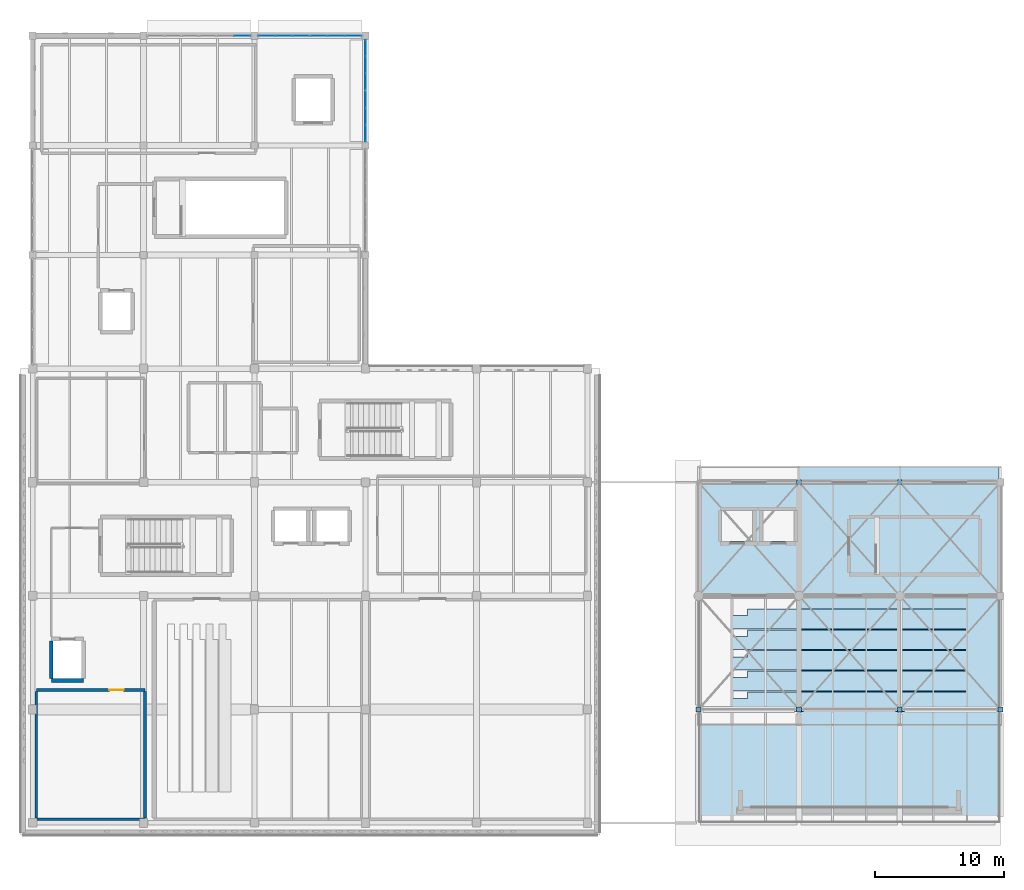
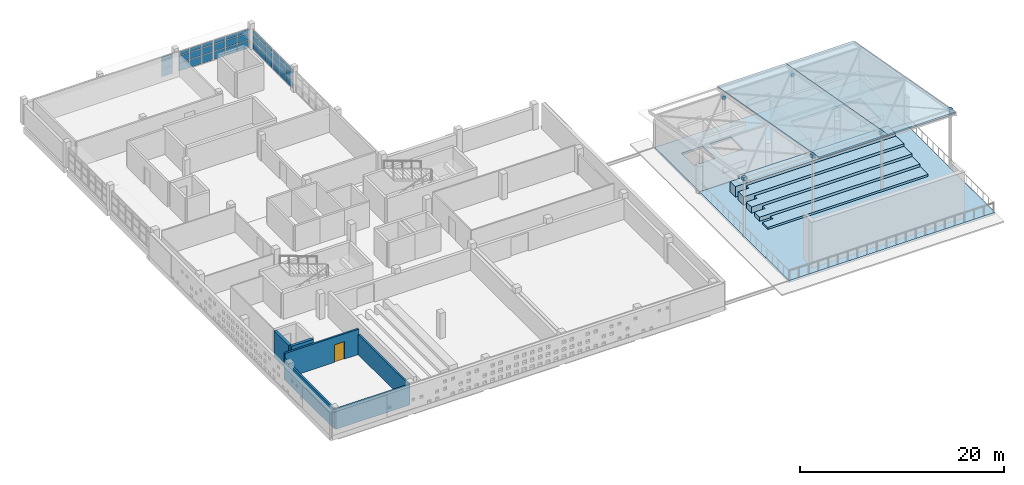
# One storey, part 20 of 34: 45 plates, 9 slabs, 6 walls, 1 door, 1 opening, 5 elements without a shape of their own.
"""IFC4 building model written with IfcOpenShell, lengths in metres."""

from ifc_helpers import new_model, si_unit, direction, frame, frame_2d, origin, origin_2d, place, context, subcontext, project, spatial, polyline, rectangle, outline, extrude, material, layer, layer_set, type_object, element, fill, aggregate, save


model = new_model("IFC4")

# Units and contexts
model_context = context("Model", 3, precision=1e-05, world=origin(), true_north=direction((0.0, 1.0)))
body_context = subcontext(model_context, "Body", "Model", "MODEL_VIEW")
ifc_project = project(units=[si_unit("LENGTHUNIT", "METRE"), si_unit("AREAUNIT", "SQUARE_METRE"), si_unit("VOLUMEUNIT", "CUBIC_METRE"), si_unit("PLANEANGLEUNIT", "RADIAN"), si_unit("MASSUNIT", "GRAM", prefix="KILO")], contexts=[model_context])

# Site, building, storey
site_placement = place(None, origin())
site = spatial("IfcSite", under=ifc_project, at=site_placement, CompositionType="ELEMENT")
building_placement = place(site_placement, origin())
building = spatial("IfcBuilding", under=site, at=building_placement, Name="Varnakota Cinema and Media Centre", CompositionType="ELEMENT")
storey_placement = place(building_placement, frame((0.0, 0.0, 19.050048828125)))
storey = spatial("IfcBuildingStorey", under=building, at=storey_placement, Name="L05", CompositionType="ELEMENT", Elevation=19.050048828125)

# Curtain wall, plates
ifc_material_1 = material(Name="Thermally broken anodised aluminium AW-6063", Category="aluminium")
curtain_wall_type_1 = type_object("IfcCurtainWallType", Name="CW-STD-396x244", PredefinedType="USERDEFINED", material=ifc_material_1)
curtain_wall_1_placement = place(storey_placement, origin())
curtain_wall_1 = element("IfcCurtainWall", 1, at=curtain_wall_1_placement, inside=storey, type_object=curtain_wall_type_1, Name="L05 curtain wall CW-L05-V5-E-03-1", ObjectType="UNITISED CURTAIN WALL", PredefinedType="USERDEFINED")
ifc_material_2 = material(Name="Laminated solar-control double glazing", Category="glass")
ifc_layer_1 = layer(ifc_material_2, 0.028076171875)
ifc_layer_set_1 = layer_set([ifc_layer_1], Name="Laminated solar-control double glazing")
plate_type_1 = type_object("IfcPlateType", Name="CWP-DGU-28", PredefinedType="CURTAIN_PANEL", material=ifc_layer_set_1)
plate_1_placement = place(storey_placement, frame((25.800048828125, 53.450439453125, 0.06494140625), z_axis=(0.0, 0.0, 1.0), x_axis=(0.0, 1.0, 0.0)))
plate_1 = element("IfcPlate", 2, at=plate_1_placement, type_object=plate_type_1, Name="CW53 panel 1.1", PredefinedType="CURTAIN_PANEL", context=body_context, shape_type="SweptSolid", body=[
    extrude(rectangle(XDim=1.220947265625, YDim=0.028076171875, at=origin_2d()), origin(), (0.0, 0.0, 1.0), 0.929443359375),
])
plate_2_placement = place(storey_placement, frame((25.800048828125, 53.450439453125, 1.0595703125), z_axis=(0.0, 0.0, 1.0), x_axis=(0.0, 1.0, 0.0)))
plate_2 = element("IfcPlate", 3, at=plate_2_placement, type_object=plate_type_1, Name="CW53 panel 1.2", PredefinedType="CURTAIN_PANEL", context=body_context, shape_type="SweptSolid", body=[
    extrude(rectangle(XDim=1.220947265625, YDim=0.028076171875, at=origin_2d()), origin(), (0.0, 0.0, 1.0), 0.815185546875),
])
plate_3_placement = place(storey_placement, frame((25.800048828125, 53.450439453125, 1.939453125), z_axis=(0.0, 0.0, 1.0), x_axis=(0.0, 1.0, 0.0)))
plate_3 = element("IfcPlate", 4, at=plate_3_placement, type_object=plate_type_1, Name="CW53 panel 1.3", PredefinedType="CURTAIN_PANEL", context=body_context, shape_type="SweptSolid", body=[
    extrude(rectangle(XDim=1.220947265625, YDim=0.028076171875, at=origin_2d()), origin(), (0.0, 0.0, 1.0), 0.4404296875),
])
plate_4_placement = place(storey_placement, frame((25.800048828125, 54.75244140625, 0.06494140625), z_axis=(0.0, 0.0, 1.0), x_axis=(0.0, 1.0, 0.0)))
plate_4 = element("IfcPlate", 5, at=plate_4_placement, type_object=plate_type_1, Name="CW53 panel 2.1", PredefinedType="CURTAIN_PANEL", context=body_context, shape_type="SweptSolid", body=[
    extrude(rectangle(XDim=1.25341796875, YDim=0.028076171875, at=origin_2d()), origin(), (0.0, 0.0, 1.0), 0.929443359375),
])
plate_5_placement = place(storey_placement, frame((25.800048828125, 54.75244140625, 1.0595703125), z_axis=(0.0, 0.0, 1.0), x_axis=(0.0, 1.0, 0.0)))
plate_5 = element("IfcPlate", 6, at=plate_5_placement, type_object=plate_type_1, Name="CW53 panel 2.2", PredefinedType="CURTAIN_PANEL", context=body_context, shape_type="SweptSolid", body=[
    extrude(rectangle(XDim=1.25341796875, YDim=0.028076171875, at=origin_2d()), origin(), (0.0, 0.0, 1.0), 0.815185546875),
])
plate_6_placement = place(storey_placement, frame((25.800048828125, 54.75244140625, 1.939453125), z_axis=(0.0, 0.0, 1.0), x_axis=(0.0, 1.0, 0.0)))
plate_6 = element("IfcPlate", 7, at=plate_6_placement, type_object=plate_type_1, Name="CW53 panel 2.3", PredefinedType="CURTAIN_PANEL", context=body_context, shape_type="SweptSolid", body=[
    extrude(rectangle(XDim=1.25341796875, YDim=0.028076171875, at=origin_2d()), origin(), (0.0, 0.0, 1.0), 0.4404296875),
])
plate_7_placement = place(storey_placement, frame((25.800048828125, 56.0546875, 0.06494140625), z_axis=(0.0, 0.0, 1.0), x_axis=(0.0, 1.0, 0.0)))
plate_7 = element("IfcPlate", 8, at=plate_7_placement, type_object=plate_type_1, Name="CW53 panel 3.1", PredefinedType="CURTAIN_PANEL", context=body_context, shape_type="SweptSolid", body=[
    extrude(rectangle(XDim=1.220947265625, YDim=0.028076171875, at=origin_2d()), origin(), (0.0, 0.0, 1.0), 0.929443359375),
])
plate_8_placement = place(storey_placement, frame((25.800048828125, 56.0546875, 1.0595703125), z_axis=(0.0, 0.0, 1.0), x_axis=(0.0, 1.0, 0.0)))
plate_8 = element("IfcPlate", 9, at=plate_8_placement, type_object=plate_type_1, Name="CW53 panel 3.2", PredefinedType="CURTAIN_PANEL", context=body_context, shape_type="SweptSolid", body=[
    extrude(rectangle(XDim=1.220947265625, YDim=0.028076171875, at=origin_2d()), origin(), (0.0, 0.0, 1.0), 0.815185546875),
])
plate_9_placement = place(storey_placement, frame((25.800048828125, 56.0546875, 1.939453125), z_axis=(0.0, 0.0, 1.0), x_axis=(0.0, 1.0, 0.0)))
plate_9 = element("IfcPlate", 10, at=plate_9_placement, type_object=plate_type_1, Name="CW53 panel 3.3", PredefinedType="CURTAIN_PANEL", context=body_context, shape_type="SweptSolid", body=[
    extrude(rectangle(XDim=1.220947265625, YDim=0.028076171875, at=origin_2d()), origin(), (0.0, 0.0, 1.0), 0.4404296875),
])
aggregate(curtain_wall_1, [plate_1, plate_2, plate_3, plate_4, plate_5, plate_6, plate_7, plate_8, plate_9])

curtain_wall_2_placement = place(storey_placement, origin())
curtain_wall_2 = element("IfcCurtainWall", 11, at=curtain_wall_2_placement, inside=storey, type_object=curtain_wall_type_1, Name="L05 curtain wall CW-L05-V5-E-03-2", ObjectType="UNITISED CURTAIN WALL", PredefinedType="USERDEFINED")
plate_10_placement = place(storey_placement, frame((25.800048828125, 57.4453125, 0.06494140625), z_axis=(0.0, 0.0, 1.0), x_axis=(0.0, 1.0, 0.0)))
plate_10 = element("IfcPlate", 12, at=plate_10_placement, type_object=plate_type_1, Name="CW53 panel 1.1", PredefinedType="CURTAIN_PANEL", context=body_context, shape_type="SweptSolid", body=[
    extrude(rectangle(XDim=1.220947265625, YDim=0.028076171875, at=origin_2d()), origin(), (0.0, 0.0, 1.0), 0.929443359375),
])
plate_11_placement = place(storey_placement, frame((25.800048828125, 57.4453125, 1.0595703125), z_axis=(0.0, 0.0, 1.0), x_axis=(0.0, 1.0, 0.0)))
plate_11 = element("IfcPlate", 13, at=plate_11_placement, type_object=plate_type_1, Name="CW53 panel 1.2", PredefinedType="CURTAIN_PANEL", context=body_context, shape_type="SweptSolid", body=[
    extrude(rectangle(XDim=1.220947265625, YDim=0.028076171875, at=origin_2d()), origin(), (0.0, 0.0, 1.0), 0.815185546875),
])
plate_12_placement = place(storey_placement, frame((25.800048828125, 57.4453125, 1.939453125), z_axis=(0.0, 0.0, 1.0), x_axis=(0.0, 1.0, 0.0)))
plate_12 = element("IfcPlate", 14, at=plate_12_placement, type_object=plate_type_1, Name="CW53 panel 1.3", PredefinedType="CURTAIN_PANEL", context=body_context, shape_type="SweptSolid", body=[
    extrude(rectangle(XDim=1.220947265625, YDim=0.028076171875, at=origin_2d()), origin(), (0.0, 0.0, 1.0), 0.4404296875),
])
plate_13_placement = place(storey_placement, frame((25.800048828125, 58.74755859375, 0.06494140625), z_axis=(0.0, 0.0, 1.0), x_axis=(0.0, 1.0, 0.0)))
plate_13 = element("IfcPlate", 15, at=plate_13_placement, type_object=plate_type_1, Name="CW53 panel 2.1", PredefinedType="CURTAIN_PANEL", context=body_context, shape_type="SweptSolid", body=[
    extrude(rectangle(XDim=1.25341796875, YDim=0.028076171875, at=origin_2d()), origin(), (0.0, 0.0, 1.0), 0.929443359375),
])
plate_14_placement = place(storey_placement, frame((25.800048828125, 58.74755859375, 1.0595703125), z_axis=(0.0, 0.0, 1.0), x_axis=(0.0, 1.0, 0.0)))
plate_14 = element("IfcPlate", 16, at=plate_14_placement, type_object=plate_type_1, Name="CW53 panel 2.2", PredefinedType="CURTAIN_PANEL", context=body_context, shape_type="SweptSolid", body=[
    extrude(rectangle(XDim=1.25341796875, YDim=0.028076171875, at=origin_2d()), origin(), (0.0, 0.0, 1.0), 0.815185546875),
])
plate_15_placement = place(storey_placement, frame((25.800048828125, 58.74755859375, 1.939453125), z_axis=(0.0, 0.0, 1.0), x_axis=(0.0, 1.0, 0.0)))
plate_15 = element("IfcPlate", 17, at=plate_15_placement, type_object=plate_type_1, Name="CW53 panel 2.3", PredefinedType="CURTAIN_PANEL", context=body_context, shape_type="SweptSolid", body=[
    extrude(rectangle(XDim=1.25341796875, YDim=0.028076171875, at=origin_2d()), origin(), (0.0, 0.0, 1.0), 0.4404296875),
])
plate_16_placement = place(storey_placement, frame((25.800048828125, 60.049560546875, 0.06494140625), z_axis=(0.0, 0.0, 1.0), x_axis=(0.0, 1.0, 0.0)))
plate_16 = element("IfcPlate", 18, at=plate_16_placement, type_object=plate_type_1, Name="CW53 panel 3.1", PredefinedType="CURTAIN_PANEL", context=body_context, shape_type="SweptSolid", body=[
    extrude(rectangle(XDim=1.220947265625, YDim=0.028076171875, at=origin_2d()), origin(), (0.0, 0.0, 1.0), 0.929443359375),
])
plate_17_placement = place(storey_placement, frame((25.800048828125, 60.049560546875, 1.0595703125), z_axis=(0.0, 0.0, 1.0), x_axis=(0.0, 1.0, 0.0)))
plate_17 = element("IfcPlate", 19, at=plate_17_placement, type_object=plate_type_1, Name="CW53 panel 3.2", PredefinedType="CURTAIN_PANEL", context=body_context, shape_type="SweptSolid", body=[
    extrude(rectangle(XDim=1.220947265625, YDim=0.028076171875, at=origin_2d()), origin(), (0.0, 0.0, 1.0), 0.815185546875),
])
plate_18_placement = place(storey_placement, frame((25.800048828125, 60.049560546875, 1.939453125), z_axis=(0.0, 0.0, 1.0), x_axis=(0.0, 1.0, 0.0)))
plate_18 = element("IfcPlate", 20, at=plate_18_placement, type_object=plate_type_1, Name="CW53 panel 3.3", PredefinedType="CURTAIN_PANEL", context=body_context, shape_type="SweptSolid", body=[
    extrude(rectangle(XDim=1.220947265625, YDim=0.028076171875, at=origin_2d()), origin(), (0.0, 0.0, 1.0), 0.4404296875),
])
aggregate(curtain_wall_2, [plate_10, plate_11, plate_12, plate_13, plate_14, plate_15, plate_16, plate_17, plate_18])

ifc_material_3 = material(Name="Thermally broken anodised aluminium AW-6063", Category="aluminium")
curtain_wall_type_2 = type_object("IfcCurtainWallType", Name="CW-STD-401x250", PredefinedType="USERDEFINED", material=ifc_material_3)
curtain_wall_3_placement = place(storey_placement, origin())
curtain_wall_3 = element("IfcCurtainWall", 21, at=curtain_wall_3_placement, inside=storey, type_object=curtain_wall_type_2, Name="L05 curtain wall CW-L05-V5-N-02-2", ObjectType="UNITISED CURTAIN WALL", PredefinedType="USERDEFINED")
plate_19_placement = place(storey_placement, frame((16.2412109375, 61.0, 0.06494140625), z_axis=(0.0, 0.0, 1.0), x_axis=(1.0, 0.0, 0.0)))
plate_19 = element("IfcPlate", 22, at=plate_19_placement, type_object=plate_type_1, Name="CW54 panel 3.1", PredefinedType="CURTAIN_PANEL", context=body_context, shape_type="SweptSolid", body=[
    extrude(rectangle(XDim=1.237548828125, YDim=0.028076171875, at=origin_2d()), origin(), (0.0, 0.0, 1.0), 0.950439453125),
])
plate_20_placement = place(storey_placement, frame((16.2412109375, 61.0, 1.08056640625), z_axis=(0.0, 0.0, 1.0), x_axis=(1.0, 0.0, 0.0)))
plate_20 = element("IfcPlate", 23, at=plate_20_placement, type_object=plate_type_1, Name="CW54 panel 3.2", PredefinedType="CURTAIN_PANEL", context=body_context, shape_type="SweptSolid", body=[
    extrude(rectangle(XDim=1.237548828125, YDim=0.028076171875, at=origin_2d()), origin(), (0.0, 0.0, 1.0), 0.833251953125),
])
plate_21_placement = place(storey_placement, frame((16.2412109375, 61.0, 1.978515625), z_axis=(0.0, 0.0, 1.0), x_axis=(1.0, 0.0, 0.0)))
plate_21 = element("IfcPlate", 24, at=plate_21_placement, type_object=plate_type_1, Name="CW54 panel 3.3", PredefinedType="CURTAIN_PANEL", context=body_context, shape_type="SweptSolid", body=[
    extrude(rectangle(XDim=1.237548828125, YDim=0.028076171875, at=origin_2d()), origin(), (0.0, 0.0, 1.0), 0.451416015625),
])
aggregate(curtain_wall_3, [plate_19, plate_20, plate_21])

ifc_material_4 = material(Name="Thermally broken anodised aluminium AW-6063", Category="aluminium")
curtain_wall_type_3 = type_object("IfcCurtainWallType", Name="CW-STD-400x244", PredefinedType="USERDEFINED", material=ifc_material_4)
curtain_wall_4_placement = place(storey_placement, origin())
curtain_wall_4 = element("IfcCurtainWall", 25, at=curtain_wall_4_placement, inside=storey, type_object=curtain_wall_type_3, Name="L05 curtain wall CW-L05-V5-N-03-1", ObjectType="UNITISED CURTAIN WALL", PredefinedType="USERDEFINED")
plate_22_placement = place(storey_placement, frame((18.15869140625, 61.0, 0.06494140625), z_axis=(0.0, 0.0, 1.0), x_axis=(1.0, 0.0, 0.0)))
plate_22 = element("IfcPlate", 26, at=plate_22_placement, type_object=plate_type_1, Name="CW55 panel 1.1", PredefinedType="CURTAIN_PANEL", context=body_context, shape_type="SweptSolid", body=[
    extrude(rectangle(XDim=1.237548828125, YDim=0.028076171875, at=origin_2d()), origin(), (0.0, 0.0, 1.0), 0.929443359375),
])
plate_23_placement = place(storey_placement, frame((18.15869140625, 61.0, 1.0595703125), z_axis=(0.0, 0.0, 1.0), x_axis=(1.0, 0.0, 0.0)))
plate_23 = element("IfcPlate", 27, at=plate_23_placement, type_object=plate_type_1, Name="CW55 panel 1.2", PredefinedType="CURTAIN_PANEL", context=body_context, shape_type="SweptSolid", body=[
    extrude(rectangle(XDim=1.237548828125, YDim=0.028076171875, at=origin_2d()), origin(), (0.0, 0.0, 1.0), 0.815185546875),
])
plate_24_placement = place(storey_placement, frame((18.15869140625, 61.0, 1.939453125), z_axis=(0.0, 0.0, 1.0), x_axis=(1.0, 0.0, 0.0)))
plate_24 = element("IfcPlate", 28, at=plate_24_placement, type_object=plate_type_1, Name="CW55 panel 1.3", PredefinedType="CURTAIN_PANEL", context=body_context, shape_type="SweptSolid", body=[
    extrude(rectangle(XDim=1.237548828125, YDim=0.028076171875, at=origin_2d()), origin(), (0.0, 0.0, 1.0), 0.4404296875),
])
plate_25_placement = place(storey_placement, frame((19.4775390625, 61.0, 0.06494140625), z_axis=(0.0, 0.0, 1.0), x_axis=(1.0, 0.0, 0.0)))
plate_25 = element("IfcPlate", 29, at=plate_25_placement, type_object=plate_type_1, Name="CW55 panel 2.1", PredefinedType="CURTAIN_PANEL", context=body_context, shape_type="SweptSolid", body=[
    extrude(rectangle(XDim=1.27001953125, YDim=0.028076171875, at=origin_2d()), origin(), (0.0, 0.0, 1.0), 0.929443359375),
])
plate_26_placement = place(storey_placement, frame((19.4775390625, 61.0, 1.0595703125), z_axis=(0.0, 0.0, 1.0), x_axis=(1.0, 0.0, 0.0)))
plate_26 = element("IfcPlate", 30, at=plate_26_placement, type_object=plate_type_1, Name="CW55 panel 2.2", PredefinedType="CURTAIN_PANEL", context=body_context, shape_type="SweptSolid", body=[
    extrude(rectangle(XDim=1.27001953125, YDim=0.028076171875, at=origin_2d()), origin(), (0.0, 0.0, 1.0), 0.815185546875),
])
plate_27_placement = place(storey_placement, frame((19.4775390625, 61.0, 1.939453125), z_axis=(0.0, 0.0, 1.0), x_axis=(1.0, 0.0, 0.0)))
plate_27 = element("IfcPlate", 31, at=plate_27_placement, type_object=plate_type_1, Name="CW55 panel 2.3", PredefinedType="CURTAIN_PANEL", context=body_context, shape_type="SweptSolid", body=[
    extrude(rectangle(XDim=1.27001953125, YDim=0.028076171875, at=origin_2d()), origin(), (0.0, 0.0, 1.0), 0.4404296875),
])
plate_28_placement = place(storey_placement, frame((20.796142578125, 61.0, 0.06494140625), z_axis=(0.0, 0.0, 1.0), x_axis=(1.0, 0.0, 0.0)))
plate_28 = element("IfcPlate", 32, at=plate_28_placement, type_object=plate_type_1, Name="CW55 panel 3.1", PredefinedType="CURTAIN_PANEL", context=body_context, shape_type="SweptSolid", body=[
    extrude(rectangle(XDim=1.237548828125, YDim=0.028076171875, at=origin_2d()), origin(), (0.0, 0.0, 1.0), 0.929443359375),
])
plate_29_placement = place(storey_placement, frame((20.796142578125, 61.0, 1.0595703125), z_axis=(0.0, 0.0, 1.0), x_axis=(1.0, 0.0, 0.0)))
plate_29 = element("IfcPlate", 33, at=plate_29_placement, type_object=plate_type_1, Name="CW55 panel 3.2", PredefinedType="CURTAIN_PANEL", context=body_context, shape_type="SweptSolid", body=[
    extrude(rectangle(XDim=1.237548828125, YDim=0.028076171875, at=origin_2d()), origin(), (0.0, 0.0, 1.0), 0.815185546875),
])
plate_30_placement = place(storey_placement, frame((20.796142578125, 61.0, 1.939453125), z_axis=(0.0, 0.0, 1.0), x_axis=(1.0, 0.0, 0.0)))
plate_30 = element("IfcPlate", 34, at=plate_30_placement, type_object=plate_type_1, Name="CW55 panel 3.3", PredefinedType="CURTAIN_PANEL", context=body_context, shape_type="SweptSolid", body=[
    extrude(rectangle(XDim=1.237548828125, YDim=0.028076171875, at=origin_2d()), origin(), (0.0, 0.0, 1.0), 0.4404296875),
])
aggregate(curtain_wall_4, [plate_22, plate_23, plate_24, plate_25, plate_26, plate_27, plate_28, plate_29, plate_30])

curtain_wall_5_placement = place(storey_placement, origin())
curtain_wall_5 = element("IfcCurtainWall", 35, at=curtain_wall_5_placement, inside=storey, type_object=curtain_wall_type_3, Name="L05 curtain wall CW-L05-V5-N-03-2", ObjectType="UNITISED CURTAIN WALL", PredefinedType="USERDEFINED")
plate_31_placement = place(storey_placement, frame((22.203857421875, 61.0, 0.06494140625), z_axis=(0.0, 0.0, 1.0), x_axis=(1.0, 0.0, 0.0)))
plate_31 = element("IfcPlate", 36, at=plate_31_placement, type_object=plate_type_1, Name="CW55 panel 1.1", PredefinedType="CURTAIN_PANEL", context=body_context, shape_type="SweptSolid", body=[
    extrude(rectangle(XDim=1.237548828125, YDim=0.028076171875, at=origin_2d()), origin(), (0.0, 0.0, 1.0), 0.929443359375),
])
plate_32_placement = place(storey_placement, frame((22.203857421875, 61.0, 1.0595703125), z_axis=(0.0, 0.0, 1.0), x_axis=(1.0, 0.0, 0.0)))
plate_32 = element("IfcPlate", 37, at=plate_32_placement, type_object=plate_type_1, Name="CW55 panel 1.2", PredefinedType="CURTAIN_PANEL", context=body_context, shape_type="SweptSolid", body=[
    extrude(rectangle(XDim=1.237548828125, YDim=0.028076171875, at=origin_2d()), origin(), (0.0, 0.0, 1.0), 0.815185546875),
])
plate_33_placement = place(storey_placement, frame((22.203857421875, 61.0, 1.939453125), z_axis=(0.0, 0.0, 1.0), x_axis=(1.0, 0.0, 0.0)))
plate_33 = element("IfcPlate", 38, at=plate_33_placement, type_object=plate_type_1, Name="CW55 panel 1.3", PredefinedType="CURTAIN_PANEL", context=body_context, shape_type="SweptSolid", body=[
    extrude(rectangle(XDim=1.237548828125, YDim=0.028076171875, at=origin_2d()), origin(), (0.0, 0.0, 1.0), 0.4404296875),
])
plate_34_placement = place(storey_placement, frame((23.5224609375, 61.0, 0.06494140625), z_axis=(0.0, 0.0, 1.0), x_axis=(1.0, 0.0, 0.0)))
plate_34 = element("IfcPlate", 39, at=plate_34_placement, type_object=plate_type_1, Name="CW55 panel 2.1", PredefinedType="CURTAIN_PANEL", context=body_context, shape_type="SweptSolid", body=[
    extrude(rectangle(XDim=1.27001953125, YDim=0.028076171875, at=origin_2d()), origin(), (0.0, 0.0, 1.0), 0.929443359375),
])
plate_35_placement = place(storey_placement, frame((23.5224609375, 61.0, 1.0595703125), z_axis=(0.0, 0.0, 1.0), x_axis=(1.0, 0.0, 0.0)))
plate_35 = element("IfcPlate", 40, at=plate_35_placement, type_object=plate_type_1, Name="CW55 panel 2.2", PredefinedType="CURTAIN_PANEL", context=body_context, shape_type="SweptSolid", body=[
    extrude(rectangle(XDim=1.27001953125, YDim=0.028076171875, at=origin_2d()), origin(), (0.0, 0.0, 1.0), 0.815185546875),
])
plate_36_placement = place(storey_placement, frame((23.5224609375, 61.0, 1.939453125), z_axis=(0.0, 0.0, 1.0), x_axis=(1.0, 0.0, 0.0)))
plate_36 = element("IfcPlate", 41, at=plate_36_placement, type_object=plate_type_1, Name="CW55 panel 2.3", PredefinedType="CURTAIN_PANEL", context=body_context, shape_type="SweptSolid", body=[
    extrude(rectangle(XDim=1.27001953125, YDim=0.028076171875, at=origin_2d()), origin(), (0.0, 0.0, 1.0), 0.4404296875),
])
plate_37_placement = place(storey_placement, frame((24.84130859375, 61.0, 0.06494140625), z_axis=(0.0, 0.0, 1.0), x_axis=(1.0, 0.0, 0.0)))
plate_37 = element("IfcPlate", 42, at=plate_37_placement, type_object=plate_type_1, Name="CW55 panel 3.1", PredefinedType="CURTAIN_PANEL", context=body_context, shape_type="SweptSolid", body=[
    extrude(rectangle(XDim=1.237548828125, YDim=0.028076171875, at=origin_2d()), origin(), (0.0, 0.0, 1.0), 0.929443359375),
])
plate_38_placement = place(storey_placement, frame((24.84130859375, 61.0, 1.0595703125), z_axis=(0.0, 0.0, 1.0), x_axis=(1.0, 0.0, 0.0)))
plate_38 = element("IfcPlate", 43, at=plate_38_placement, type_object=plate_type_1, Name="CW55 panel 3.2", PredefinedType="CURTAIN_PANEL", context=body_context, shape_type="SweptSolid", body=[
    extrude(rectangle(XDim=1.237548828125, YDim=0.028076171875, at=origin_2d()), origin(), (0.0, 0.0, 1.0), 0.815185546875),
])
plate_39_placement = place(storey_placement, frame((24.84130859375, 61.0, 1.939453125), z_axis=(0.0, 0.0, 1.0), x_axis=(1.0, 0.0, 0.0)))
plate_39 = element("IfcPlate", 44, at=plate_39_placement, type_object=plate_type_1, Name="CW55 panel 3.3", PredefinedType="CURTAIN_PANEL", context=body_context, shape_type="SweptSolid", body=[
    extrude(rectangle(XDim=1.237548828125, YDim=0.028076171875, at=origin_2d()), origin(), (0.0, 0.0, 1.0), 0.4404296875),
])
aggregate(curtain_wall_5, [plate_31, plate_32, plate_33, plate_34, plate_35, plate_36, plate_37, plate_38, plate_39])

# Plates
ifc_material_5 = material(Name="Structural steel Grade 350 (E350)", Category="steel")
ifc_layer_2 = layer(ifc_material_5, 0.02001953125)
ifc_layer_set_2 = layer_set([ifc_layer_2], Name="Structural steel Grade 350 (E350)")
plate_type_2 = type_object("IfcPlateType", Name="PL-NODE-20", PredefinedType="SHEET", material=ifc_layer_set_2)
for number, where, z_axis, x_axis, name in (
    (45, (51.60009765625, 8.800048828125, 6.7939453125), (0.0, 0.0, 1.0), (1.0, 0.0, 0.0), "V3 canopy node SN4 1.8"),
    (46, (59.39990234375, 8.800048828125, 6.7939453125), (0.0, 0.0, 1.0), (1.0, 0.0, 0.0), "V3 canopy node SN4 2.8"),
    (47, (67.199951171875, 8.800048828125, 6.7939453125), (0.0, 0.0, 1.0), (1.0, 0.0, 0.0), "V3 canopy node SN4 3.8"),
    (48, (75.0, 8.800048828125, 6.7939453125), (0.0, 0.0, 1.0), (1.0, 0.0, 0.0), "V3 canopy node SN4 4.8"),
    (49, (59.39990234375, 26.39990234375, 3.1201171875), (0.0, 0.0, 1.0), (1.0, 0.0, 0.0), "L05 hollow column H4 sealed end-cap plate"),
    (50, (67.199951171875, 26.39990234375, 3.1201171875), (0.0, 0.0, 1.0), (1.0, 0.0, 0.0), "L05 hollow column J4 sealed end-cap plate"),
):
    element("IfcPlate", number, at=place(storey_placement, frame(where, z_axis=z_axis, x_axis=x_axis)), inside=storey, type_object=plate_type_2, Name=name, PredefinedType="SHEET", context=body_context, shape_type="SweptSolid", body=[
        extrude(rectangle(XDim=0.3798828125, YDim=0.3798828125, at=origin_2d()), origin(), (0.0, 0.0, 1.0), 0.3798828125),
    ])

# Slabs
ifc_material_6 = material(Name="Concrete M35", Category="concrete")
ifc_layer_3 = layer(ifc_material_6, 0.25)
ifc_layer_set_3 = layer_set([ifc_layer_3], Name="Concrete M35")
slab_type_1 = type_object("IfcSlabType", Name="SLB-FLR-250", PredefinedType="FLOOR", material=ifc_layer_set_3)
slab_1_placement = place(storey_placement, frame((0.0, 0.0, -0.25)))
element("IfcSlab", 51, at=slab_1_placement, inside=storey, type_object=slab_type_1, Name="L05 V3 floor slab", PredefinedType="FLOOR", context=body_context, shape_type="SweptSolid", body=[
    extrude(outline(polyline([(51.60009765625, 17.60009765625), (75.0, 17.60009765625), (75.0, 26.39990234375), (51.60009765625, 26.39990234375), (51.60009765625, 17.60009765625)]), holes=[polyline([(65.39990234375, 19.39990234375), (73.280029296875, 19.39990234375), (73.280029296875, 23.550048828125), (65.39990234375, 23.550048828125), (65.39990234375, 19.39990234375)]), polyline([(53.39990234375, 21.800048828125), (55.800048828125, 21.800048828125), (55.800048828125, 24.199951171875), (53.39990234375, 24.199951171875), (53.39990234375, 21.800048828125)]), polyline([(56.60009765625, 21.800048828125), (59.0, 21.800048828125), (59.0, 24.199951171875), (56.60009765625, 24.199951171875), (56.60009765625, 21.800048828125)])]), origin(), (0.0, 0.0, 1.0), 0.25),
])
ifc_material_7 = material(Name="Precast concrete M40", Category="concrete")
ifc_layer_4 = layer(ifc_material_7, 0.14990234375)
ifc_layer_set_4 = layer_set([ifc_layer_4], Name="Precast concrete M40")
slab_type_2 = type_object("IfcSlabType", Name="SLB-ROOF-150", PredefinedType="ROOF", material=ifc_layer_set_4)
slab_2_placement = place(storey_placement, frame((59.39990234375, 7.60009765625, 7.47998046875), z_axis=(0.0, 0.177157653077, 0.984182486105), x_axis=(1.0, 0.0, 0.0)))
element("IfcSlab", 52, at=slab_2_placement, inside=storey, type_object=slab_type_2, Name="V3 rooftop amphitheatre canopy slab 2", PredefinedType="ROOF", context=body_context, shape_type="SweptSolid", body=[
    extrude(outline(polyline([(0.0, 0.0), (7.800048828125, 0.0), (7.800048828125, 20.321434573733637), (0.0, 20.321434573733637), (0.0, 0.0)])), origin(), (0.0, 0.0, -1.0), 0.14990234375),
])
slab_3_placement = place(storey_placement, frame((67.199951171875, 7.60009765625, 7.47998046875), z_axis=(0.0, 0.177157653077, 0.984182486105), x_axis=(1.0, 0.0, 0.0)))
element("IfcSlab", 53, at=slab_3_placement, inside=storey, type_object=slab_type_2, Name="V3 rooftop amphitheatre canopy slab 3", PredefinedType="ROOF", context=body_context, shape_type="SweptSolid", body=[
    extrude(outline(polyline([(0.0, 0.0), (7.699951171875, 0.0), (7.699951171875, 20.321434573733637), (0.0, 20.321434573733637), (0.0, 0.0)])), origin(), (0.0, 0.0, -1.0), 0.14990234375),
])
ifc_material_8 = material(Name="Concrete M35", Category="concrete")
ifc_layer_5 = layer(ifc_material_8, 0.219970703125)
ifc_layer_set_5 = layer_set([ifc_layer_5], Name="Concrete M35")
slab_type_3 = type_object("IfcSlabType", Name="SLB-TERR-220", PredefinedType="FLOOR", material=ifc_layer_set_5)
slab_4_placement = place(storey_placement, frame((0.0, 0.0, -0.25)))
element("IfcSlab", 54, at=slab_4_placement, inside=storey, type_object=slab_type_3, Name="L05 Rooftop Repertory Screening Amphitheatre Terrace", PredefinedType="FLOOR", context=body_context, shape_type="SweptSolid", body=[
    extrude(outline(polyline([(51.60009765625, 0.0), (75.0, 0.0), (75.0, 17.60009765625), (51.60009765625, 17.60009765625), (51.60009765625, 0.0)])), origin(), (0.0, 0.0, 1.0), 0.25),
])
ifc_material_9 = material(Name="Concrete M35", Category="concrete")
ifc_layer_6 = layer(ifc_material_9, 0.219970703125)
ifc_layer_set_6 = layer_set([ifc_layer_6], Name="Concrete M35")
slab_type_4 = type_object("IfcSlabType", Name="SLB-TIER-220", PredefinedType="USERDEFINED", material=ifc_layer_set_6)
slab_5_placement = place(storey_placement, origin())
element("IfcSlab", 55, at=slab_5_placement, inside=storey, type_object=slab_type_4, Name="L05 rooftop cinema amphitheatre tier 1", ObjectType="SEATING TIER", PredefinedType="USERDEFINED", context=body_context, shape_type="SweptSolid", body=[
    extrude(outline(polyline([(54.199951171875, 8.639892578125), (72.39990234375, 8.639892578125), (72.39990234375, 10.159912109375), (55.39990234375, 10.159912109375), (55.39990234375, 9.659912109375), (54.199951171875, 9.659912109375), (54.199951171875, 8.639892578125)])), origin(), (0.0, 0.0, 1.0), 0.25),
])
slab_6_placement = place(storey_placement, origin())
element("IfcSlab", 56, at=slab_6_placement, inside=storey, type_object=slab_type_4, Name="L05 rooftop cinema amphitheatre tier 2", ObjectType="SEATING TIER", PredefinedType="USERDEFINED", context=body_context, shape_type="SweptSolid", body=[
    extrude(outline(polyline([(54.199951171875, 10.239990234375), (72.39990234375, 10.239990234375), (72.39990234375, 11.760009765625), (55.39990234375, 11.760009765625), (55.39990234375, 11.260009765625), (54.199951171875, 11.260009765625), (54.199951171875, 10.239990234375)])), origin(), (0.0, 0.0, 1.0), 0.5),
])
slab_7_placement = place(storey_placement, origin())
element("IfcSlab", 57, at=slab_7_placement, inside=storey, type_object=slab_type_4, Name="L05 rooftop cinema amphitheatre tier 3", ObjectType="SEATING TIER", PredefinedType="USERDEFINED", context=body_context, shape_type="SweptSolid", body=[
    extrude(outline(polyline([(54.199951171875, 11.840087890625), (72.39990234375, 11.840087890625), (72.39990234375, 13.360107421875), (55.39990234375, 13.360107421875), (55.39990234375, 12.860107421875), (54.199951171875, 12.860107421875), (54.199951171875, 11.840087890625)])), origin(), (0.0, 0.0, 1.0), 0.75),
])
slab_8_placement = place(storey_placement, origin())
element("IfcSlab", 58, at=slab_8_placement, inside=storey, type_object=slab_type_4, Name="L05 rooftop cinema amphitheatre tier 4", ObjectType="SEATING TIER", PredefinedType="USERDEFINED", context=body_context, shape_type="SweptSolid", body=[
    extrude(outline(polyline([(54.199951171875, 13.43994140625), (72.39990234375, 13.43994140625), (72.39990234375, 14.9599609375), (55.39990234375, 14.9599609375), (55.39990234375, 14.4599609375), (54.199951171875, 14.4599609375), (54.199951171875, 13.43994140625)])), origin(), (0.0, 0.0, 1.0), 1.0),
])
slab_9_placement = place(storey_placement, origin())
element("IfcSlab", 59, at=slab_9_placement, inside=storey, type_object=slab_type_4, Name="L05 rooftop cinema amphitheatre tier 5", ObjectType="SEATING TIER", PredefinedType="USERDEFINED", context=body_context, shape_type="SweptSolid", body=[
    extrude(outline(polyline([(54.199951171875, 15.0400390625), (72.39990234375, 15.0400390625), (72.39990234375, 16.56005859375), (55.39990234375, 16.56005859375), (55.39990234375, 16.06005859375), (54.199951171875, 16.06005859375), (54.199951171875, 15.0400390625)])), origin(), (0.0, 0.0, 1.0), 1.25),
])

# Walls
ifc_material_10 = material(Name="Autoclaved aerated concrete blockwork", Category="masonry")
ifc_layer_7 = layer(ifc_material_10, 0.2099609375)
ifc_layer_set_7 = layer_set([ifc_layer_7], Name="Autoclaved aerated concrete blockwork")
wall_type_1 = type_object("IfcWallType", Name="W-ACOUST-210", PredefinedType="PARTITIONING", material=ifc_layer_set_7)
wall_1_placement = place(storey_placement, frame((8.705078125, 0.294921875, 0.0), z_axis=(0.0, 0.0, 1.0), x_axis=(-1.0, 0.0, 0.0)))
element("IfcWall", 60, at=wall_1_placement, inside=storey, type_object=wall_type_1, Name="L05 RWALL-RM-L05-POST5 S wall", PredefinedType="PARTITIONING", context=body_context, shape_type="SweptSolid", body=[
    extrude(rectangle(XDim=8.41015625, YDim=0.2099609375, at=frame_2d((4.205078125, 0.0))), origin(), (0.0, 0.0, 1.0), 2.389892578125),
])
wall_2_placement = place(storey_placement, frame((0.294921875, 0.39990234375, 0.0), z_axis=(0.0, 0.0, 1.0), x_axis=(0.0, 1.0, 0.0)))
element("IfcWall", 61, at=wall_2_placement, inside=storey, type_object=wall_type_1, Name="L05 RWALL-RM-L05-POST5 W wall", PredefinedType="PARTITIONING", context=body_context, shape_type="SweptSolid", body=[
    extrude(rectangle(XDim=9.800048828125, YDim=0.2099609375, at=frame_2d((4.89990234375, 0.0))), origin(), (0.0, 0.0, 1.0), 2.389892578125),
])

# Wall, opening, door
wall_3_placement = place(storey_placement, frame((0.294921875, 10.304931640625, 0.0), z_axis=(0.0, 0.0, 1.0), x_axis=(1.0, 0.0, 0.0)))
wall_3 = element("IfcWall", 62, at=wall_3_placement, inside=storey, type_object=wall_type_1, Name="L05 RWALL-RM-L05-POST5 N wall", PredefinedType="PARTITIONING", context=body_context, shape_type="SweptSolid", body=[
    extrude(rectangle(XDim=8.41015625, YDim=0.2099609375, at=frame_2d((4.205078125, 0.0))), origin(), (0.0, 0.0, 1.0), 3.0400390625),
])
opening_placement = place(wall_3_placement, frame((5.655029296875, 0.0, 0.0)))
opening = element("IfcOpeningElement", 63, at=opening_placement, cuts=wall_3, Name="Opening D-108", PredefinedType="OPENING", context=body_context, shape_type="SweptSolid", body=[
    extrude(rectangle(XDim=1.10009765625, YDim=2.10009765625, at=frame_2d((0.550048828125, 1.050048828125))), frame((0.0, 0.10498046875, 0.0), z_axis=(0.0, -1.0, 0.0), x_axis=(1.0, 0.0, 0.0)), (0.0, 0.0, 1.0), 0.2099609375),
])
ifc_material_11 = material(Name="Thermally broken anodised aluminium AW-6063", Category="aluminium")
door_type = type_object("IfcDoorType", Name="DR-STD-1100x2100", OperationType="NOTDEFINED", PredefinedType="DOOR", material=ifc_material_11)
door_placement = place(opening_placement, origin())
door = element("IfcDoor", 64, at=door_placement, inside=storey, type_object=door_type, Name="L05 door D-108", OperationType="SINGLE_SWING_RIGHT", OverallHeight=2.10009765625, OverallWidth=1.10009765625, PredefinedType="DOOR", context=body_context, shape_type="SweptSolid", body=[
    extrude(rectangle(XDim=1.10009765625, YDim=2.10009765625, at=frame_2d((0.550048828125, 1.050048828125))), frame((0.0, 0.02490234375, 0.0), z_axis=(0.0, -1.0, 0.0), x_axis=(1.0, 0.0, 0.0)), (0.0, 0.0, 1.0), 0.050048828125),
])
fill(opening, door)

# Walls
wall_4_placement = place(storey_placement, frame((8.705078125, 10.199951171875, 0.0), z_axis=(0.0, 0.0, 1.0), x_axis=(0.0, -1.0, 0.0)))
element("IfcWall", 65, at=wall_4_placement, inside=storey, type_object=wall_type_1, Name="L05 RWALL-RM-L05-POST5 E wall", PredefinedType="PARTITIONING", context=body_context, shape_type="SweptSolid", body=[
    extrude(rectangle(XDim=9.800048828125, YDim=0.2099609375, at=frame_2d((4.89990234375, 0.0))), origin(), (0.0, 0.0, 1.0), 2.43994140625),
])
ifc_material_12 = material(Name="Concrete M40", Category="concrete")
ifc_layer_8 = layer(ifc_material_12, 0.300048828125)
ifc_layer_set_8 = layer_set([ifc_layer_8], Name="Concrete M40")
wall_type_2 = type_object("IfcWallType", Name="W-CORE-300", PredefinedType="SHEAR", material=ifc_layer_set_8)
wall_5_placement = place(storey_placement, frame((3.949951171875, 11.050048828125, 0.0), z_axis=(0.0, 0.0, 1.0), x_axis=(-1.0, 0.0, 0.0)))
element("IfcWall", 66, at=wall_5_placement, inside=storey, type_object=wall_type_2, Name="L05 LSHAFT-LF-01-L05 S wall", PredefinedType="SHEAR", context=body_context, shape_type="SweptSolid", body=[
    extrude(rectangle(XDim=2.5, YDim=0.300048828125, at=frame_2d((1.25, 0.0))), origin(), (0.0, 0.0, 1.0), 3.06005859375),
])
wall_6_placement = place(storey_placement, frame((1.449951171875, 11.199951171875, 0.0), z_axis=(0.0, 0.0, 1.0), x_axis=(0.0, 1.0, 0.0)))
element("IfcWall", 67, at=wall_6_placement, inside=storey, type_object=wall_type_2, Name="L05 LSHAFT-LF-01-L05 W wall", PredefinedType="SHEAR", context=body_context, shape_type="SweptSolid", body=[
    extrude(rectangle(XDim=2.900146484375, YDim=0.300048828125, at=frame_2d((1.4501953125, 0.0))), origin(), (0.0, 0.0, 1.0), 3.06005859375),
])

save(model, "model.ifc")
